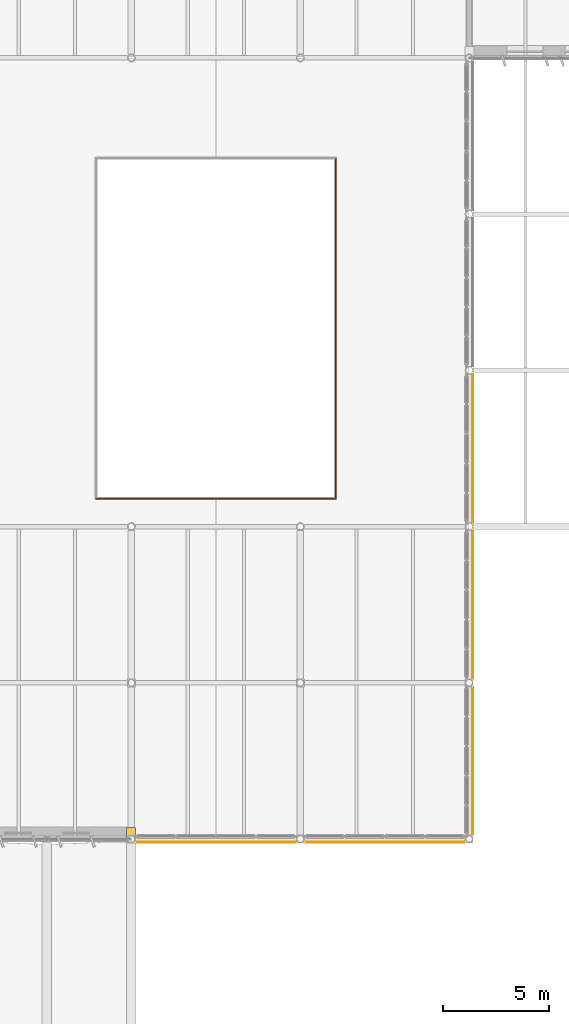
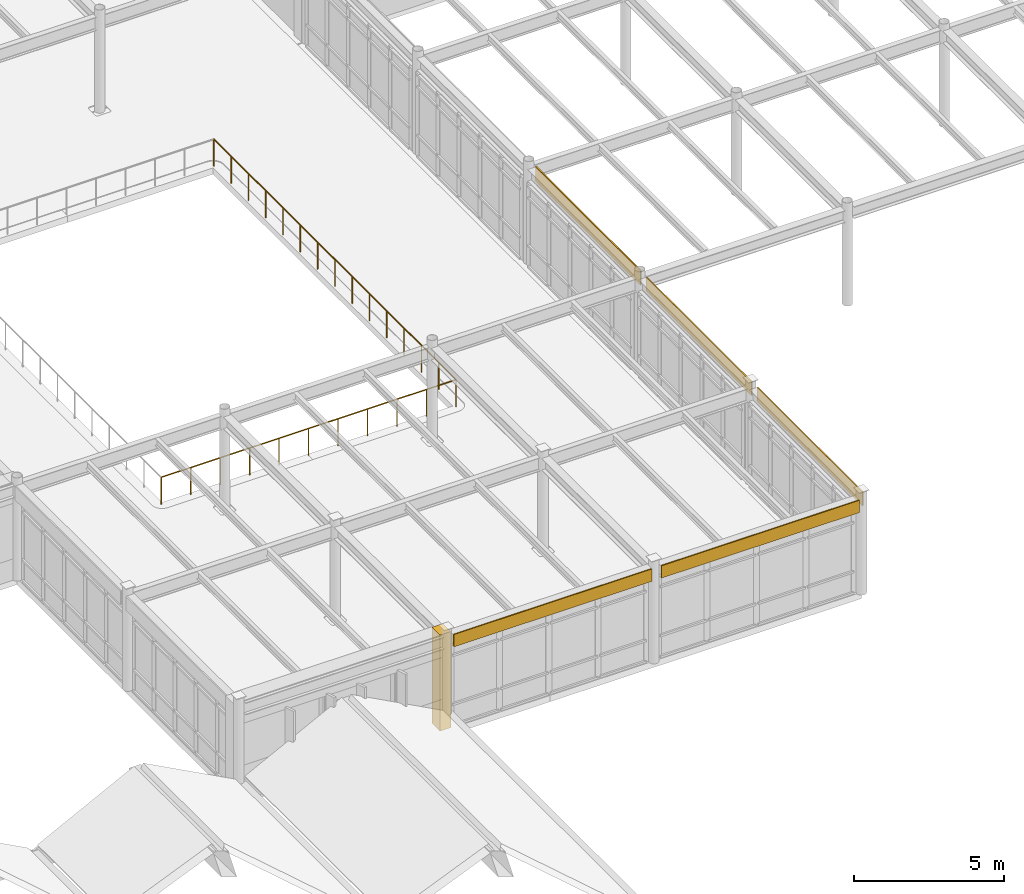
# One storey, part 54 of 63: 6 coverings, 2 railings.
"""IFC4 building model written with IfcOpenShell, lengths in metres."""

from ifc_helpers import new_model, si_unit, direction, frame, frame_2d, origin, origin_2d, place, context, subcontext, project, spatial, rectangle, circle, extrude, material, layer, layer_set, type_object, element, save


model = new_model("IFC4")

# Units and contexts
model_context = context("Model", 3, precision=1e-05, world=origin(), true_north=direction((0.0, 1.0)))
body_context = subcontext(model_context, "Body", "Model", "MODEL_VIEW")
ifc_project = project(units=[si_unit("LENGTHUNIT", "METRE"), si_unit("AREAUNIT", "SQUARE_METRE"), si_unit("VOLUMEUNIT", "CUBIC_METRE"), si_unit("PLANEANGLEUNIT", "RADIAN"), si_unit("MASSUNIT", "GRAM", prefix="KILO")], contexts=[model_context])

# Site, building, storey
site_placement = place(None, origin())
site = spatial("IfcSite", under=ifc_project, at=site_placement, CompositionType="ELEMENT")
building_placement = place(site_placement, origin())
building = spatial("IfcBuilding", under=site, at=building_placement, Name="Valkorina Park Police Headquarters", CompositionType="ELEMENT")
storey_placement = place(building_placement, frame((0.0, 0.0, 9.89990234375)))
storey = spatial("IfcBuildingStorey", under=building, at=storey_placement, Name="L03", CompositionType="ELEMENT", Elevation=9.89990234375)

# Coverings
ifc_material_1 = material(Name="Precast concrete C40/50", Category="concrete")
ifc_layer = layer(ifc_material_1, 0.044921875)
ifc_layer_set = layer_set([ifc_layer], Name="Precast concrete C40/50")
covering_type = type_object("IfcCoveringType", Name="COV-CLAD-DOLOMITE", PredefinedType="CLADDING", material=ifc_layer_set)
covering_1_placement = place(storey_placement, frame((80.9599609375, 44.212158203125, 3.360107421875), z_axis=(0.0, 0.0, 1.0), x_axis=(0.0, -1.0, 0.0)))
element("IfcCovering", 1, at=covering_1_placement, inside=storey, type_object=covering_type, Name="L03 Spandrel Beam Insulated Fascia 2116", PredefinedType="CLADDING", context=body_context, shape_type="SweptSolid", body=[
    extrude(rectangle(XDim=7.0244140625, YDim=0.044921875, at=frame_2d((3.51220703125, 0.0))), origin(), (0.0, 0.0, 1.0), 0.594970703125),
])
for number, where, z_axis, x_axis, name in (
    (2, (80.9599609375, 36.812255859375, 3.360107421875), (0.0, 0.0, 1.0), (0.0, -1.0, 0.0), "L03 Spandrel Beam Insulated Fascia 2117"),
    (3, (80.9599609375, 29.412109375, 3.360107421875), (0.0, 0.0, 1.0), (0.0, -1.0, 0.0), "L03 Spandrel Beam Insulated Fascia 2118"),
):
    element("IfcCovering", number, at=place(storey_placement, frame(where, z_axis=z_axis, x_axis=x_axis)), inside=storey, type_object=covering_type, Name=name, PredefinedType="CLADDING", context=body_context, shape_type="SweptSolid", body=[
        extrude(rectangle(XDim=7.0244140625, YDim=0.044921875, at=frame_2d((3.51220703125, 0.0))), origin(), (0.0, 0.0, 1.0), 0.56005859375),
    ])
for number, where, z_axis, x_axis, name in (
    (4, (80.6123046875, 22.0400390625, 3.420166015625), (0.0, 0.0, 1.0), (-1.0, 0.0, 0.0), "L03 Spandrel Beam Insulated Fascia 2119"),
    (5, (72.6123046875, 22.0400390625, 3.420166015625), (0.0, 0.0, 1.0), (-1.0, 0.0, 0.0), "L03 Spandrel Beam Insulated Fascia 2120"),
):
    element("IfcCovering", number, at=place(storey_placement, frame(where, z_axis=z_axis, x_axis=x_axis)), inside=storey, type_object=covering_type, Name=name, PredefinedType="CLADDING", context=body_context, shape_type="SweptSolid", body=[
        extrude(rectangle(XDim=7.62451171875, YDim=0.044921875, at=frame_2d((3.812255859375, 0.0))), origin(), (0.0, 0.0, 1.0), 0.5),
    ])
covering_2_placement = place(storey_placement, frame((64.7822265625, 22.489990234375, 0.000244140625), z_axis=(0.0, 0.0, 1.0), x_axis=(1.0, 0.0, 0.0)))
element("IfcCovering", 6, at=covering_2_placement, inside=storey, type_object=covering_type, Name="L03 Exterior Joint Closure Pilaster A 2121", PredefinedType="CLADDING", context=body_context, shape_type="SweptSolid", body=[
    extrude(rectangle(XDim=0.419921875, YDim=0.52197265625, at=origin_2d()), origin(), (0.0, 0.0, 1.0), 3.919921875),
])

# Railings
ifc_material_2 = material(Name="Stainless steel EN 1.4404", Category="steel")
railing_type = type_object("IfcRailingType", Name="RL-GUARD-INT-1100", PredefinedType="BALUSTRADE", material=ifc_material_2)
railing_1_placement = place(storey_placement, frame((63.1201171875, 38.320068359375, 0.0)))
element("IfcRailing", 7, at=railing_1_placement, inside=storey, type_object=railing_type, Name="L03 Winter Concourse Atrium Balustrade 5", PredefinedType="BALUSTRADE", context=body_context, shape_type="SweptSolid", body=[
    extrude(circle(Radius=0.02392578125, at=origin_2d()), frame((0.0, 0.0, 1.09619140625), z_axis=(1.0, 0.0, 0.0), x_axis=(0.0, 1.0, 0.0)), (0.0, 0.0, 1.0), 11.35986328125),
    extrude(circle(Radius=0.02099609375, at=origin_2d()), origin(), (0.0, 0.0, 1.0), 1.072021484375),
    extrude(circle(Radius=0.02099609375, at=origin_2d()), frame((1.135986328125, 0.0, 0.0)), (0.0, 0.0, 1.0), 1.072021484375),
    extrude(circle(Radius=0.02099609375, at=origin_2d()), frame((2.27197265625, 0.0, 0.0)), (0.0, 0.0, 1.0), 1.072021484375),
    extrude(circle(Radius=0.02099609375, at=origin_2d()), frame((3.407958984375, 0.0, 0.0)), (0.0, 0.0, 1.0), 1.072021484375),
    extrude(circle(Radius=0.02099609375, at=origin_2d()), frame((4.5439453125, 0.0, 0.0)), (0.0, 0.0, 1.0), 1.072021484375),
    extrude(circle(Radius=0.02099609375, at=origin_2d()), frame((5.679931640625, 0.0, 0.0)), (0.0, 0.0, 1.0), 1.072021484375),
    extrude(circle(Radius=0.02099609375, at=origin_2d()), frame((6.81591796875, 0.0, 0.0)), (0.0, 0.0, 1.0), 1.072021484375),
    extrude(circle(Radius=0.02099609375, at=origin_2d()), frame((7.951904296875, 0.0, 0.0)), (0.0, 0.0, 1.0), 1.072021484375),
    extrude(circle(Radius=0.02099609375, at=origin_2d()), frame((9.087890625, 0.0, 0.0)), (0.0, 0.0, 1.0), 1.072021484375),
    extrude(circle(Radius=0.02099609375, at=origin_2d()), frame((10.223876953125, 0.0, 0.0)), (0.0, 0.0, 1.0), 1.072021484375),
    extrude(circle(Radius=0.02099609375, at=origin_2d()), frame((11.35986328125, 0.0, 0.0)), (0.0, 0.0, 1.0), 1.072021484375),
])
railing_2_placement = place(storey_placement, frame((74.47998046875, 38.320068359375, 0.0)))
element("IfcRailing", 8, at=railing_2_placement, inside=storey, type_object=railing_type, Name="L03 Winter Concourse Atrium Balustrade 6", PredefinedType="BALUSTRADE", context=body_context, shape_type="SweptSolid", body=[
    extrude(circle(Radius=0.02392578125, at=origin_2d()), frame((0.0, 0.0, 1.09619140625), z_axis=(0.0, 1.0, 0.0), x_axis=(-1.0, 0.0, 0.0)), (0.0, 0.0, 1.0), 16.159912109375),
    extrude(circle(Radius=0.02099609375, at=origin_2d()), origin(), (0.0, 0.0, 1.0), 1.072021484375),
    extrude(circle(Radius=0.02099609375, at=origin_2d()), frame((0.0, 1.154296875, 0.0)), (0.0, 0.0, 1.0), 1.072021484375),
    extrude(circle(Radius=0.02099609375, at=origin_2d()), frame((0.0, 2.30859375, 0.0)), (0.0, 0.0, 1.0), 1.072021484375),
    extrude(circle(Radius=0.02099609375, at=origin_2d()), frame((0.0, 3.462890625, 0.0)), (0.0, 0.0, 1.0), 1.072021484375),
    extrude(circle(Radius=0.02099609375, at=origin_2d()), frame((0.0, 4.6171875, 0.0)), (0.0, 0.0, 1.0), 1.072021484375),
    extrude(circle(Radius=0.02099609375, at=origin_2d()), frame((0.0, 5.771484375, 0.0)), (0.0, 0.0, 1.0), 1.072021484375),
    extrude(circle(Radius=0.02099609375, at=origin_2d()), frame((0.0, 6.92578125, 0.0)), (0.0, 0.0, 1.0), 1.072021484375),
    extrude(circle(Radius=0.02099609375, at=origin_2d()), frame((0.0, 8.080078125, 0.0)), (0.0, 0.0, 1.0), 1.072021484375),
    extrude(circle(Radius=0.02099609375, at=origin_2d()), frame((0.0, 9.234130859375, 0.0)), (0.0, 0.0, 1.0), 1.072021484375),
    extrude(circle(Radius=0.02099609375, at=origin_2d()), frame((0.0, 10.388427734375, 0.0)), (0.0, 0.0, 1.0), 1.072021484375),
    extrude(circle(Radius=0.02099609375, at=origin_2d()), frame((0.0, 11.542724609375, 0.0)), (0.0, 0.0, 1.0), 1.072021484375),
    extrude(circle(Radius=0.02099609375, at=origin_2d()), frame((0.0, 12.697021484375, 0.0)), (0.0, 0.0, 1.0), 1.072021484375),
    extrude(circle(Radius=0.02099609375, at=origin_2d()), frame((0.0, 13.851318359375, 0.0)), (0.0, 0.0, 1.0), 1.072021484375),
    extrude(circle(Radius=0.02099609375, at=origin_2d()), frame((0.0, 15.005615234375, 0.0)), (0.0, 0.0, 1.0), 1.072021484375),
    extrude(circle(Radius=0.02099609375, at=origin_2d()), frame((0.0, 16.159912109375, 0.0)), (0.0, 0.0, 1.0), 1.072021484375),
])

save(model, "model.ifc")
